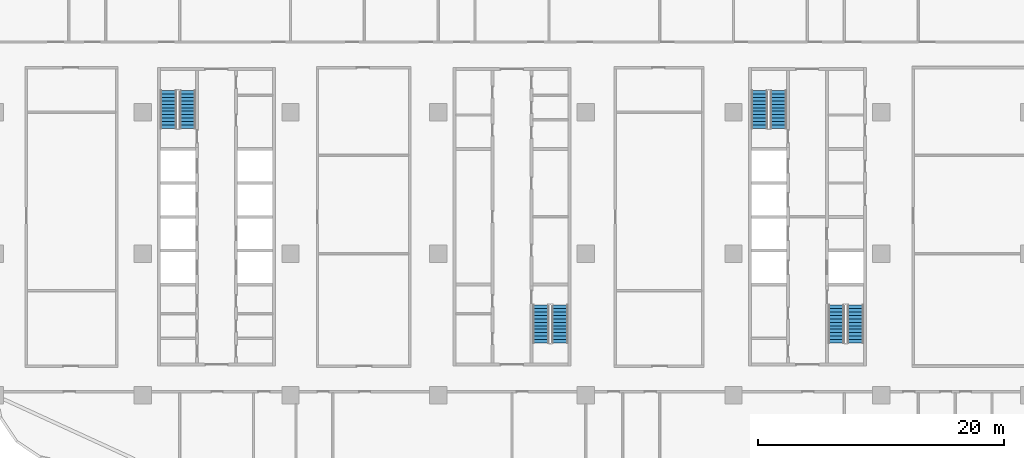
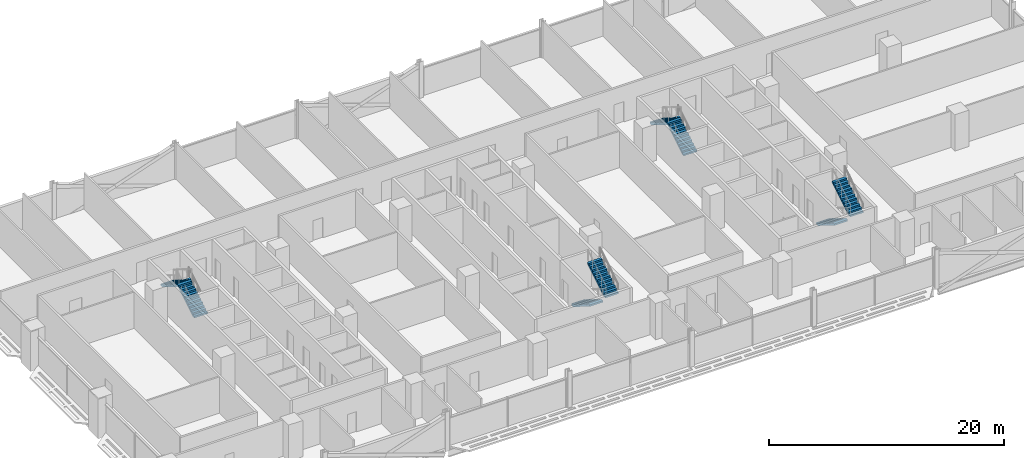
# One storey, part 18 of 29: 8 stair flights, 4 elements without a shape of their own.
"""IFC4 building model written with IfcOpenShell, lengths in metres."""

from ifc_helpers import new_model, si_unit, direction, frame, origin, place, context, subcontext, project, spatial, polyline, outline, extrude, material, type_object, element, aggregate, save


model = new_model("IFC4")

# Units and contexts
model_context = context("Model", 3, precision=1e-05, world=origin(), true_north=direction((0.0, 1.0)))
body_context = subcontext(model_context, "Body", "Model", "MODEL_VIEW")
ifc_project = project(units=[si_unit("LENGTHUNIT", "METRE"), si_unit("AREAUNIT", "SQUARE_METRE"), si_unit("VOLUMEUNIT", "CUBIC_METRE"), si_unit("PLANEANGLEUNIT", "RADIAN"), si_unit("MASSUNIT", "GRAM", prefix="KILO")], contexts=[model_context])

# Site, building, storey
site_placement = place(None, origin())
site = spatial("IfcSite", under=ifc_project, at=site_placement, CompositionType="ELEMENT")
building_placement = place(site_placement, origin())
building = spatial("IfcBuilding", under=site, at=building_placement, Name="Mahtab Terrace Research Tower", CompositionType="ELEMENT")
storey_placement = place(building_placement, frame((0.0, 0.0, 105.300048828125)))
storey = spatial("IfcBuildingStorey", under=building, at=storey_placement, Name="L24", CompositionType="ELEMENT", Elevation=105.300048828125)

# Stair, stair flights
ifc_material_1 = material(Name="Exit stair half-turn")
stair_type = type_object("IfcStairType", Name="Exit stair half-turn", PredefinedType="HALF_TURN_STAIR", material=ifc_material_1)
stair_1_placement = place(storey_placement, origin())
stair_1 = element("IfcStair", 1, at=stair_1_placement, inside=storey, type_object=stair_type, Name="L24 Protected exit stair ST1", PredefinedType="HALF_TURN_STAIR")
ifc_material_2 = material(Name="Concrete C40/50", Category="concrete")
stair_flight_type = type_object("IfcStairFlightType", Name="Exit stair flight 1300", PredefinedType="STRAIGHT", material=ifc_material_2)
stair_flight_1_placement = place(storey_placement, frame((-26.35009765625, 10.175048828125, 0.0), z_axis=(0.0, 0.0, 1.0), x_axis=(0.0, 1.0, 0.0)))
stair_flight_1 = element("IfcStairFlight", 2, at=stair_flight_1_placement, type_object=stair_flight_type, Name="ST1 flight 1", NumberOfRisers=12, NumberOfTreads=11, PredefinedType="STRAIGHT", RiserHeight=0.170833333, TreadLength=0.28, context=body_context, shape_type="SweptSolid", body=[
    extrude(outline(polyline([(0.0, 0.0), (0.0, 0.1708984375), (0.280029296875, 0.1708984375), (0.280029296875, 0.341552734375), (0.56005859375, 0.341552734375), (0.56005859375, 0.512451171875), (0.840087890625, 0.512451171875), (0.840087890625, 0.683349609375), (1.1201171875, 0.683349609375), (1.1201171875, 0.854248046875), (1.39990234375, 0.854248046875), (1.39990234375, 1.02490234375), (1.679931640625, 1.02490234375), (1.679931640625, 1.19580078125), (1.9599609375, 1.19580078125), (1.9599609375, 1.36669921875), (2.239990234375, 1.36669921875), (2.239990234375, 1.53759765625), (2.52001953125, 1.53759765625), (2.52001953125, 1.708251953125), (2.800048828125, 1.708251953125), (2.800048828125, 1.879150390625), (3.080078125, 1.879150390625), (3.080078125, 2.050048828125), (3.080078125, 1.70361328125), (0.287841796875, 0.0), (0.0, 0.0)])), frame((0.0, 0.64990234375, 0.0), z_axis=(0.0, -1.0, 0.0), x_axis=(1.0, 0.0, 0.0)), (0.0, 0.0, 1.0), 1.300048828125),
])
stair_flight_2_placement = place(storey_placement, frame((-27.89990234375, 13.2548828125, 2.050048828125), z_axis=(0.0, 0.0, 1.0), x_axis=(0.0, -1.0, 0.0)))
stair_flight_2 = element("IfcStairFlight", 3, at=stair_flight_2_placement, type_object=stair_flight_type, Name="ST1 flight 2", NumberOfRisers=12, NumberOfTreads=11, PredefinedType="STRAIGHT", RiserHeight=0.170833333, TreadLength=0.28, context=body_context, shape_type="SweptSolid", body=[
    extrude(outline(polyline([(0.0, 0.0), (0.0, 0.1708984375), (0.280029296875, 0.1708984375), (0.280029296875, 0.341552734375), (0.56005859375, 0.341552734375), (0.56005859375, 0.512451171875), (0.840087890625, 0.512451171875), (0.840087890625, 0.683349609375), (1.1201171875, 0.683349609375), (1.1201171875, 0.854248046875), (1.39990234375, 0.854248046875), (1.39990234375, 1.02490234375), (1.679931640625, 1.02490234375), (1.679931640625, 1.19580078125), (1.9599609375, 1.19580078125), (1.9599609375, 1.36669921875), (2.239990234375, 1.36669921875), (2.239990234375, 1.53759765625), (2.52001953125, 1.53759765625), (2.52001953125, 1.708251953125), (2.800048828125, 1.708251953125), (2.800048828125, 1.879150390625), (3.080078125, 1.879150390625), (3.080078125, 2.050048828125), (3.080078125, 1.70361328125), (0.287841796875, 0.0), (0.0, 0.0)])), frame((0.0, 0.64990234375, 0.0), z_axis=(0.0, -1.0, 0.0), x_axis=(1.0, 0.0, 0.0)), (0.0, 0.0, 1.0), 1.300048828125),
])
aggregate(stair_1, [stair_flight_1, stair_flight_2])

stair_2_placement = place(storey_placement, origin())
stair_2 = element("IfcStair", 4, at=stair_2_placement, inside=storey, type_object=stair_type, Name="L24 Protected exit stair ST2", PredefinedType="HALF_TURN_STAIR")
stair_flight_3_placement = place(storey_placement, frame((2.35009765625, -4.175048828125, 0.0), z_axis=(0.0, 0.0, 1.0), x_axis=(0.0, -1.0, 0.0)))
stair_flight_3 = element("IfcStairFlight", 5, at=stair_flight_3_placement, type_object=stair_flight_type, Name="ST2 flight 1", NumberOfRisers=12, NumberOfTreads=11, PredefinedType="STRAIGHT", RiserHeight=0.170833333, TreadLength=0.28, context=body_context, shape_type="SweptSolid", body=[
    extrude(outline(polyline([(0.0, 0.0), (0.0, 0.1708984375), (0.280029296875, 0.1708984375), (0.280029296875, 0.341552734375), (0.56005859375, 0.341552734375), (0.56005859375, 0.512451171875), (0.840087890625, 0.512451171875), (0.840087890625, 0.683349609375), (1.1201171875, 0.683349609375), (1.1201171875, 0.854248046875), (1.39990234375, 0.854248046875), (1.39990234375, 1.02490234375), (1.679931640625, 1.02490234375), (1.679931640625, 1.19580078125), (1.9599609375, 1.19580078125), (1.9599609375, 1.36669921875), (2.239990234375, 1.36669921875), (2.239990234375, 1.53759765625), (2.52001953125, 1.53759765625), (2.52001953125, 1.708251953125), (2.800048828125, 1.708251953125), (2.800048828125, 1.879150390625), (3.080078125, 1.879150390625), (3.080078125, 2.050048828125), (3.080078125, 1.70361328125), (0.287841796875, 0.0), (0.0, 0.0)])), frame((0.0, 0.64990234375, 0.0), z_axis=(0.0, -1.0, 0.0), x_axis=(1.0, 0.0, 0.0)), (0.0, 0.0, 1.0), 1.300048828125),
])
stair_flight_4_placement = place(storey_placement, frame((3.89990234375, -7.2548828125, 2.050048828125), z_axis=(0.0, 0.0, 1.0), x_axis=(0.0, 1.0, 0.0)))
stair_flight_4 = element("IfcStairFlight", 6, at=stair_flight_4_placement, type_object=stair_flight_type, Name="ST2 flight 2", NumberOfRisers=12, NumberOfTreads=11, PredefinedType="STRAIGHT", RiserHeight=0.170833333, TreadLength=0.28, context=body_context, shape_type="SweptSolid", body=[
    extrude(outline(polyline([(0.0, 0.0), (0.0, 0.1708984375), (0.280029296875, 0.1708984375), (0.280029296875, 0.341552734375), (0.56005859375, 0.341552734375), (0.56005859375, 0.512451171875), (0.840087890625, 0.512451171875), (0.840087890625, 0.683349609375), (1.1201171875, 0.683349609375), (1.1201171875, 0.854248046875), (1.39990234375, 0.854248046875), (1.39990234375, 1.02490234375), (1.679931640625, 1.02490234375), (1.679931640625, 1.19580078125), (1.9599609375, 1.19580078125), (1.9599609375, 1.36669921875), (2.239990234375, 1.36669921875), (2.239990234375, 1.53759765625), (2.52001953125, 1.53759765625), (2.52001953125, 1.708251953125), (2.800048828125, 1.708251953125), (2.800048828125, 1.879150390625), (3.080078125, 1.879150390625), (3.080078125, 2.050048828125), (3.080078125, 1.70361328125), (0.287841796875, 0.0), (0.0, 0.0)])), frame((0.0, 0.64990234375, 0.0), z_axis=(0.0, -1.0, 0.0), x_axis=(1.0, 0.0, 0.0)), (0.0, 0.0, 1.0), 1.300048828125),
])
aggregate(stair_2, [stair_flight_3, stair_flight_4])

stair_3_placement = place(storey_placement, origin())
stair_3 = element("IfcStair", 7, at=stair_3_placement, inside=storey, type_object=stair_type, Name="L24 Protected exit stair ST3", PredefinedType="HALF_TURN_STAIR")
stair_flight_5_placement = place(storey_placement, frame((21.64990234375, 10.175048828125, 0.0), z_axis=(0.0, 0.0, 1.0), x_axis=(0.0, 1.0, 0.0)))
stair_flight_5 = element("IfcStairFlight", 8, at=stair_flight_5_placement, type_object=stair_flight_type, Name="ST3 flight 1", NumberOfRisers=12, NumberOfTreads=11, PredefinedType="STRAIGHT", RiserHeight=0.170833333, TreadLength=0.28, context=body_context, shape_type="SweptSolid", body=[
    extrude(outline(polyline([(0.0, 0.0), (0.0, 0.1708984375), (0.280029296875, 0.1708984375), (0.280029296875, 0.341552734375), (0.56005859375, 0.341552734375), (0.56005859375, 0.512451171875), (0.840087890625, 0.512451171875), (0.840087890625, 0.683349609375), (1.1201171875, 0.683349609375), (1.1201171875, 0.854248046875), (1.39990234375, 0.854248046875), (1.39990234375, 1.02490234375), (1.679931640625, 1.02490234375), (1.679931640625, 1.19580078125), (1.9599609375, 1.19580078125), (1.9599609375, 1.36669921875), (2.239990234375, 1.36669921875), (2.239990234375, 1.53759765625), (2.52001953125, 1.53759765625), (2.52001953125, 1.708251953125), (2.800048828125, 1.708251953125), (2.800048828125, 1.879150390625), (3.080078125, 1.879150390625), (3.080078125, 2.050048828125), (3.080078125, 1.70361328125), (0.287841796875, 0.0), (0.0, 0.0)])), frame((0.0, 0.64990234375, 0.0), z_axis=(0.0, -1.0, 0.0), x_axis=(1.0, 0.0, 0.0)), (0.0, 0.0, 1.0), 1.300048828125),
])
stair_flight_6_placement = place(storey_placement, frame((20.10009765625, 13.2548828125, 2.050048828125), z_axis=(0.0, 0.0, 1.0), x_axis=(0.0, -1.0, 0.0)))
stair_flight_6 = element("IfcStairFlight", 9, at=stair_flight_6_placement, type_object=stair_flight_type, Name="ST3 flight 2", NumberOfRisers=12, NumberOfTreads=11, PredefinedType="STRAIGHT", RiserHeight=0.170833333, TreadLength=0.28, context=body_context, shape_type="SweptSolid", body=[
    extrude(outline(polyline([(0.0, 0.0), (0.0, 0.1708984375), (0.280029296875, 0.1708984375), (0.280029296875, 0.341552734375), (0.56005859375, 0.341552734375), (0.56005859375, 0.512451171875), (0.840087890625, 0.512451171875), (0.840087890625, 0.683349609375), (1.1201171875, 0.683349609375), (1.1201171875, 0.854248046875), (1.39990234375, 0.854248046875), (1.39990234375, 1.02490234375), (1.679931640625, 1.02490234375), (1.679931640625, 1.19580078125), (1.9599609375, 1.19580078125), (1.9599609375, 1.36669921875), (2.239990234375, 1.36669921875), (2.239990234375, 1.53759765625), (2.52001953125, 1.53759765625), (2.52001953125, 1.708251953125), (2.800048828125, 1.708251953125), (2.800048828125, 1.879150390625), (3.080078125, 1.879150390625), (3.080078125, 2.050048828125), (3.080078125, 1.70361328125), (0.287841796875, 0.0), (0.0, 0.0)])), frame((0.0, 0.64990234375, 0.0), z_axis=(0.0, -1.0, 0.0), x_axis=(1.0, 0.0, 0.0)), (0.0, 0.0, 1.0), 1.300048828125),
])
aggregate(stair_3, [stair_flight_5, stair_flight_6])

stair_4_placement = place(storey_placement, origin())
stair_4 = element("IfcStair", 10, at=stair_4_placement, inside=storey, type_object=stair_type, Name="L24 Protected exit stair ST4", PredefinedType="HALF_TURN_STAIR")
stair_flight_7_placement = place(storey_placement, frame((26.35009765625, -4.175048828125, 0.0), z_axis=(0.0, 0.0, 1.0), x_axis=(0.0, -1.0, 0.0)))
stair_flight_7 = element("IfcStairFlight", 11, at=stair_flight_7_placement, type_object=stair_flight_type, Name="ST4 flight 1", NumberOfRisers=12, NumberOfTreads=11, PredefinedType="STRAIGHT", RiserHeight=0.170833333, TreadLength=0.28, context=body_context, shape_type="SweptSolid", body=[
    extrude(outline(polyline([(0.0, 0.0), (0.0, 0.1708984375), (0.280029296875, 0.1708984375), (0.280029296875, 0.341552734375), (0.56005859375, 0.341552734375), (0.56005859375, 0.512451171875), (0.840087890625, 0.512451171875), (0.840087890625, 0.683349609375), (1.1201171875, 0.683349609375), (1.1201171875, 0.854248046875), (1.39990234375, 0.854248046875), (1.39990234375, 1.02490234375), (1.679931640625, 1.02490234375), (1.679931640625, 1.19580078125), (1.9599609375, 1.19580078125), (1.9599609375, 1.36669921875), (2.239990234375, 1.36669921875), (2.239990234375, 1.53759765625), (2.52001953125, 1.53759765625), (2.52001953125, 1.708251953125), (2.800048828125, 1.708251953125), (2.800048828125, 1.879150390625), (3.080078125, 1.879150390625), (3.080078125, 2.050048828125), (3.080078125, 1.70361328125), (0.287841796875, 0.0), (0.0, 0.0)])), frame((0.0, 0.64990234375, 0.0), z_axis=(0.0, -1.0, 0.0), x_axis=(1.0, 0.0, 0.0)), (0.0, 0.0, 1.0), 1.300048828125),
])
stair_flight_8_placement = place(storey_placement, frame((27.89990234375, -7.2548828125, 2.050048828125), z_axis=(0.0, 0.0, 1.0), x_axis=(0.0, 1.0, 0.0)))
stair_flight_8 = element("IfcStairFlight", 12, at=stair_flight_8_placement, type_object=stair_flight_type, Name="ST4 flight 2", NumberOfRisers=12, NumberOfTreads=11, PredefinedType="STRAIGHT", RiserHeight=0.170833333, TreadLength=0.28, context=body_context, shape_type="SweptSolid", body=[
    extrude(outline(polyline([(0.0, 0.0), (0.0, 0.1708984375), (0.280029296875, 0.1708984375), (0.280029296875, 0.341552734375), (0.56005859375, 0.341552734375), (0.56005859375, 0.512451171875), (0.840087890625, 0.512451171875), (0.840087890625, 0.683349609375), (1.1201171875, 0.683349609375), (1.1201171875, 0.854248046875), (1.39990234375, 0.854248046875), (1.39990234375, 1.02490234375), (1.679931640625, 1.02490234375), (1.679931640625, 1.19580078125), (1.9599609375, 1.19580078125), (1.9599609375, 1.36669921875), (2.239990234375, 1.36669921875), (2.239990234375, 1.53759765625), (2.52001953125, 1.53759765625), (2.52001953125, 1.708251953125), (2.800048828125, 1.708251953125), (2.800048828125, 1.879150390625), (3.080078125, 1.879150390625), (3.080078125, 2.050048828125), (3.080078125, 1.70361328125), (0.287841796875, 0.0), (0.0, 0.0)])), frame((0.0, 0.64990234375, 0.0), z_axis=(0.0, -1.0, 0.0), x_axis=(1.0, 0.0, 0.0)), (0.0, 0.0, 1.0), 1.300048828125),
])
aggregate(stair_4, [stair_flight_7, stair_flight_8])

save(model, "model.ifc")
